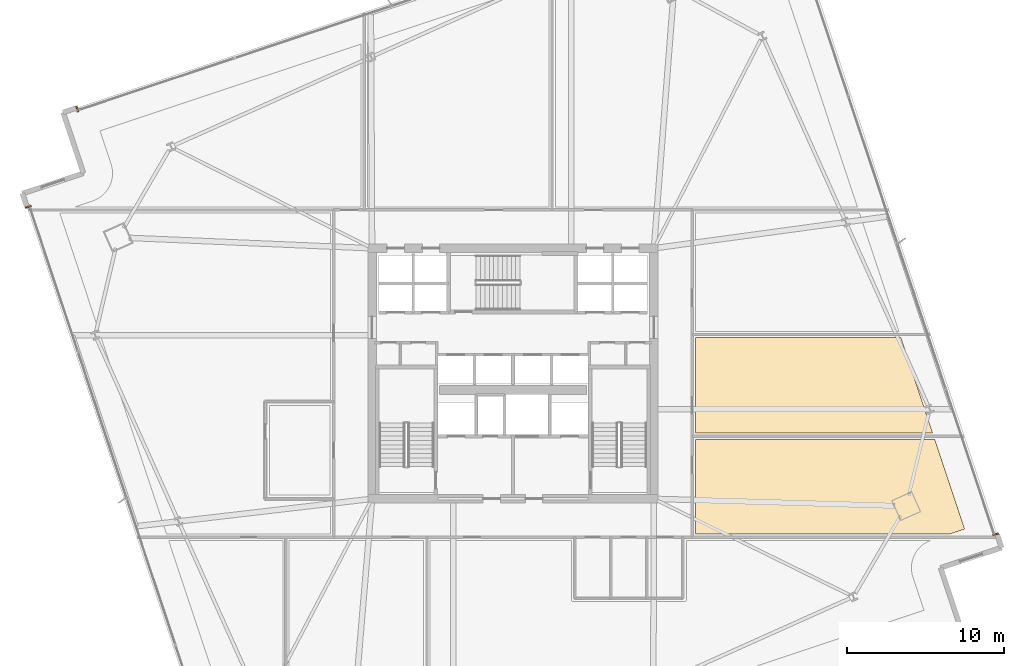
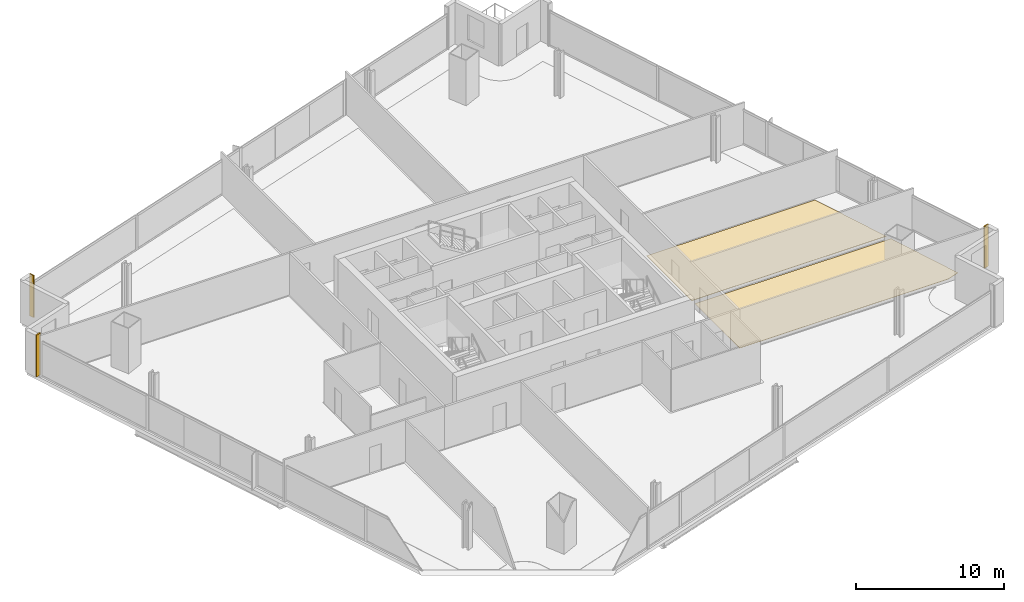
# One storey, part 32 of 34: 5 coverings.
"""IFC4 building model written with IfcOpenShell, lengths in metres."""

from ifc_helpers import new_model, si_unit, direction, frame, origin, origin_2d, place, context, subcontext, project, spatial, polyline, rectangle, outline, extrude, source, transform, mapped, material, layer, layer_set, type_object, element, save


model = new_model("IFC4")

# Units and contexts
model_context = context("Model", 3, precision=1e-05, world=origin(), true_north=direction((0.0, 1.0)))
body_context = subcontext(model_context, "Body", "Model", "MODEL_VIEW")
ifc_project = project(units=[si_unit("LENGTHUNIT", "METRE"), si_unit("AREAUNIT", "SQUARE_METRE"), si_unit("VOLUMEUNIT", "CUBIC_METRE"), si_unit("PLANEANGLEUNIT", "RADIAN"), si_unit("MASSUNIT", "GRAM", prefix="KILO")], contexts=[model_context])

# Site, building, storey
site_placement = place(None, origin())
site = spatial("IfcSite", under=ifc_project, at=site_placement, CompositionType="ELEMENT")
building_placement = place(site_placement, origin())
building = spatial("IfcBuilding", under=site, at=building_placement, Name="Haldenkirk Collegiate Tower", CompositionType="ELEMENT")
storey_placement = place(building_placement, frame((0.0, 0.0, 90.449951171875)))
storey = spatial("IfcBuildingStorey", under=building, at=storey_placement, Name="L21", CompositionType="ELEMENT", Elevation=90.449951171875)

# Coverings
ifc_material_1 = material(Name="Polished collegiate terrazzo", Category="concrete")
ifc_layer_1 = layer(ifc_material_1, 0.02490234375)
ifc_layer_set_1 = layer_set([ifc_layer_1], Name="Polished collegiate terrazzo")
covering_type_1 = type_object("IfcCoveringType", Name="COV-FLOOR-TERRAZZO", PredefinedType="FLOORING", material=ifc_layer_set_1)
covering_1_placement = place(storey_placement, origin())
element("IfcCovering", 1, at=covering_1_placement, inside=storey, type_object=covering_type_1, Name="L21 academic room finish 10", PredefinedType="FLOORING", context=body_context, shape_type="SweptSolid", body=[
    extrude(outline(polyline([(62.799560546875, 22.199951171875), (47.64990234375, 22.199951171875), (47.64990234375, 28.300048828125), (60.7705078125, 28.300048828125), (62.799560546875, 22.199951171875)])), origin(), (0.0, 0.0, 1.0), 0.025146484375),
])
ifc_material_2 = material(Name="Engineered collegiate oak acoustic flooring", Category="wood")
ifc_layer_2 = layer(ifc_material_2, 0.02197265625)
ifc_layer_set_2 = layer_set([ifc_layer_2], Name="Engineered collegiate oak acoustic flooring")
covering_type_2 = type_object("IfcCoveringType", Name="COV-FLOOR-TIMBER", PredefinedType="FLOORING", material=ifc_layer_set_2)
covering_2_placement = place(storey_placement, origin())
element("IfcCovering", 2, at=covering_2_placement, inside=storey, type_object=covering_type_2, Name="L21 academic room finish 09", PredefinedType="FLOORING", context=body_context, shape_type="SweptSolid", body=[
    extrude(outline(polyline([(63.891845703125, 15.75), (47.64990234375, 15.75), (47.64990234375, 21.800048828125), (62.9326171875, 21.800048828125), (64.84033203125, 16.0654296875), (63.891845703125, 15.75)])), origin(), (0.0, 0.0, 1.0), 0.02197265625),
])
ifc_material_3 = material(Name="Anodised architectural bronze aluminium", Category="aluminium")
ifc_layer_3 = layer(ifc_material_3, 0.06005859375)
ifc_layer_set_3 = layer_set([ifc_layer_3], Name="Anodised architectural bronze aluminium")
covering_type_3 = type_object("IfcCoveringType", Name="COV-CLAD-BRONZE-60", PredefinedType="CLADDING", material=ifc_layer_set_3)
shared_shape = source(origin(), body_context, "Body", "SweptSolid", [
    extrude(rectangle(XDim=0.10009765625, YDim=0.3798828125, at=origin_2d()), origin(), (0.0, 0.0, 1.0), 3.449951171875),
])
for number, where, z_axis, x_axis, name in (
    (3, (66.825927734375, 15.735595703125, 0.0), (0.0, 0.0, 1.0), (0.315649036947, -0.948876011644, 0.0), "L21 recessed curtain-wall bronze jamb closure EJR"),
    (4, (8.176025390625, 42.890869140625, 0.0), (0.0, 0.0, 1.0), (0.948876011644, 0.315649036947, 0.0), "L21 recessed curtain-wall bronze jamb closure NJL"),
    (5, (5.0478515625, 36.64404296875, 0.0), (0.0, 0.0, 1.0), (-0.315649036947, 0.948876011644, 0.0), "L21 recessed curtain-wall bronze jamb closure WJR"),
):
    element("IfcCovering", number, at=place(storey_placement, frame(where, z_axis=z_axis, x_axis=x_axis)), inside=storey, type_object=covering_type_3, Name=name, PredefinedType="CLADDING", context=body_context, shape_type="MappedRepresentation", body=[
        mapped(shared_shape, transform((0.0, 0.0, 0.0), x_axis=(1.0, 0.0, 0.0), y_axis=(0.0, 1.0, 0.0), z_axis=(0.0, 0.0, 1.0), scale=1.0)),
    ])

save(model, "model.ifc")
